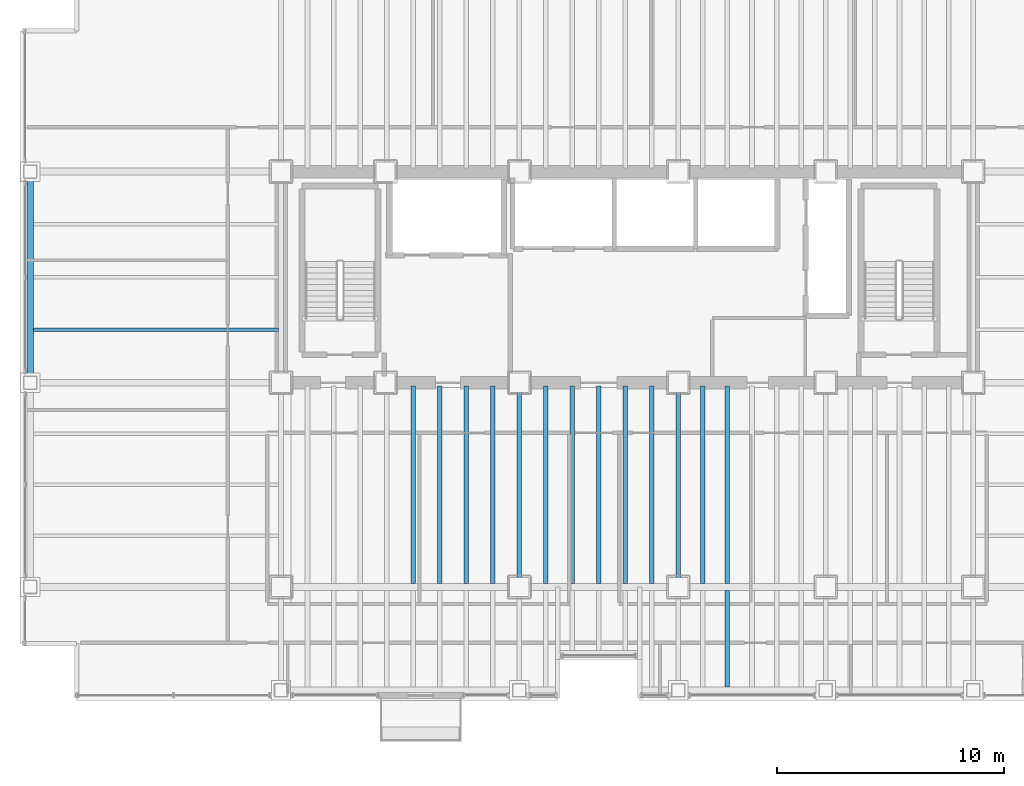
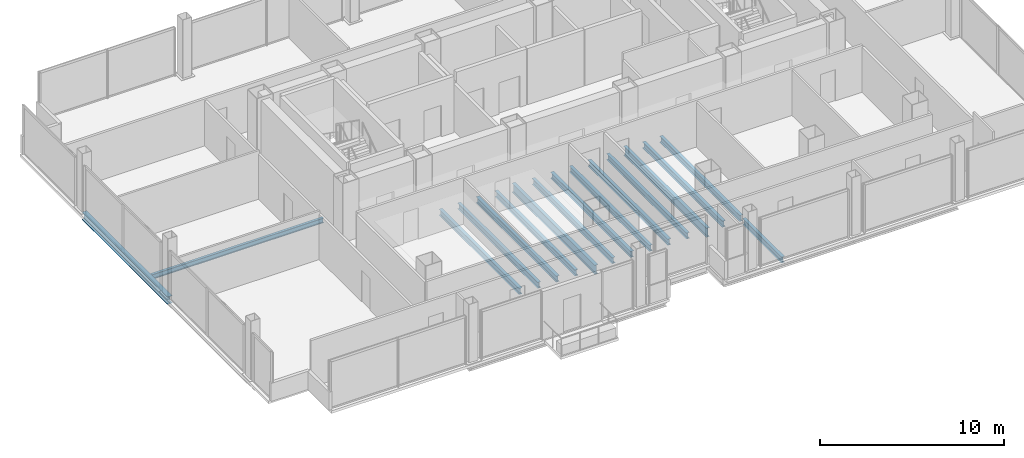
# One storey, part 5 of 21: 16 beams.
"""IFC4 building model written with IfcOpenShell, lengths in metres."""

from ifc_helpers import new_model, si_unit, direction, frame, origin, origin_2d, place, context, subcontext, project, spatial, i_section, extrude, material, material_profile, profile_set, type_object, element, save


model = new_model("IFC4")

# Units and contexts
model_context = context("Model", 3, precision=1e-05, world=origin(), true_north=direction((0.0, 1.0)))
body_context = subcontext(model_context, "Body", "Model", "MODEL_VIEW")
ifc_project = project(units=[si_unit("LENGTHUNIT", "METRE"), si_unit("AREAUNIT", "SQUARE_METRE"), si_unit("VOLUMEUNIT", "CUBIC_METRE"), si_unit("PLANEANGLEUNIT", "RADIAN"), si_unit("MASSUNIT", "GRAM", prefix="KILO")], contexts=[model_context])

# Site, building, storey
site_placement = place(None, origin())
site = spatial("IfcSite", under=ifc_project, at=site_placement, CompositionType="ELEMENT")
building_placement = place(site_placement, origin())
building = spatial("IfcBuilding", under=site, at=building_placement, Name="Noeulbin Bourse Tower", CompositionType="ELEMENT")
storey_placement = place(building_placement, frame((0.0, 0.0, 42.10009765625)))
storey = spatial("IfcBuildingStorey", under=building, at=storey_placement, Name="L10", CompositionType="ELEMENT", Elevation=42.10009765625)

# Beams
ifc_material = material(Name="Steel S355", Category="steel")
ifc_material_profile_1 = material_profile(ifc_material, i_section(OverallWidth=0.199951171875, OverallDepth=0.60009765625, WebThickness=0.010986328125, FlangeThickness=0.01708984375, FilletRadius=0.02197265625, at=origin_2d()), Name="H-600x200x11x17", Category="LoadBearing")
ifc_profile_set_1 = profile_set([ifc_material_profile_1], Name="Steel S355")
beam_type_1 = type_object("IfcBeamType", Name="BM-GRD-600", PredefinedType="USERDEFINED", material=ifc_profile_set_1)
for number, where, z_axis, x_axis, name in (
    (1, (24.0, 20.0, -0.47998046875), (0.0, 1.0, 0.0), (-1.0, 0.0, 0.0), "Tower Primary Girder NS L10-2.2"),
    (2, (31.0, 20.0, -0.47998046875), (0.0, 1.0, 0.0), (-1.0, 0.0, 0.0), "Tower Primary Girder NS L10-3.2"),
):
    element("IfcBeam", number, at=place(storey_placement, frame(where, z_axis=z_axis, x_axis=x_axis)), inside=storey, type_object=beam_type_1, Name=name, ObjectType="GIRDER", PredefinedType="USERDEFINED", context=body_context, shape_type="SweptSolid", body=[
        extrude(i_section(OverallWidth=0.199951171875, OverallDepth=0.60009765625, WebThickness=0.010986328125, FlangeThickness=0.01708984375, FilletRadius=0.02197265625, at=origin_2d()), origin(), (0.0, 0.0, 1.0), 9.0),
    ])
ifc_material_profile_2 = material_profile(ifc_material, i_section(OverallWidth=0.159912109375, OverallDepth=0.320068359375, WebThickness=0.006591796875, FlangeThickness=0.010009765625, FilletRadius=0.012939453125, at=origin_2d()), Name="H-320x160x6.5x10", Category="LoadBearing")
ifc_profile_set_2 = profile_set([ifc_material_profile_2], Name="Steel S355")
beam_type_2 = type_object("IfcBeamType", Name="BM-JST-320", PredefinedType="JOIST", material=ifc_profile_set_2)
beam_1_placement = place(storey_placement, frame((2.60009765625, 31.324951171875, -0.340087890625), z_axis=(1.0, 0.0, 0.0), x_axis=(0.0, 1.0, 0.0)))
element("IfcBeam", 3, at=beam_1_placement, inside=storey, type_object=beam_type_2, Name="Wing Composite Joist L10-W73", PredefinedType="JOIST", context=body_context, shape_type="SweptSolid", body=[
    extrude(i_section(OverallWidth=0.159912109375, OverallDepth=0.320068359375, WebThickness=0.006591796875, FlangeThickness=0.010009765625, FilletRadius=0.012939453125, at=origin_2d()), origin(), (0.0, 0.0, 1.0), 10.7998046875),
])
ifc_material_profile_3 = material_profile(ifc_material, i_section(OverallWidth=0.199951171875, OverallDepth=0.39990234375, WebThickness=0.008056640625, FlangeThickness=0.012939453125, FilletRadius=0.01611328125, at=origin_2d()), Name="H-400x200x8x13", Category="LoadBearing")
ifc_profile_set_3 = profile_set([ifc_material_profile_3], Name="Steel S355")
beam_type_3 = type_object("IfcBeamType", Name="BM-SEC-400", PredefinedType="BEAM", material=ifc_profile_set_3)
for number, where, z_axis, x_axis, name in (
    (4, (19.333251953125, 20.14990234375, -0.380126953125), (0.0, 1.0, 0.0), (-1.0, 0.0, 0.0), "Tower Composite Joist L10-14"),
    (5, (20.5, 20.14990234375, -0.380126953125), (0.0, 1.0, 0.0), (-1.0, 0.0, 0.0), "Tower Composite Joist L10-17"),
    (6, (21.666748046875, 20.14990234375, -0.380126953125), (0.0, 1.0, 0.0), (-1.0, 0.0, 0.0), "Tower Composite Joist L10-20"),
    (7, (22.833251953125, 20.14990234375, -0.380126953125), (0.0, 1.0, 0.0), (-1.0, 0.0, 0.0), "Tower Composite Joist L10-23"),
    (8, (25.166748046875, 20.14990234375, -0.380126953125), (0.0, 1.0, 0.0), (-1.0, 0.0, 0.0), "Tower Composite Joist L10-26"),
    (9, (26.333251953125, 20.14990234375, -0.380126953125), (0.0, 1.0, 0.0), (-1.0, 0.0, 0.0), "Tower Composite Joist L10-29"),
    (10, (27.5, 20.14990234375, -0.380126953125), (0.0, 1.0, 0.0), (-1.0, 0.0, 0.0), "Tower Composite Joist L10-32"),
    (11, (28.666748046875, 20.14990234375, -0.380126953125), (0.0, 1.0, 0.0), (-1.0, 0.0, 0.0), "Tower Composite Joist L10-35"),
    (12, (29.833251953125, 20.14990234375, -0.380126953125), (0.0, 1.0, 0.0), (-1.0, 0.0, 0.0), "Tower Composite Joist L10-38"),
    (13, (32.083251953125, 20.14990234375, -0.380126953125), (0.0, 1.0, 0.0), (-1.0, 0.0, 0.0), "Tower Composite Joist L10-41"),
):
    element("IfcBeam", number, at=place(storey_placement, frame(where, z_axis=z_axis, x_axis=x_axis)), inside=storey, type_object=beam_type_3, Name=name, PredefinedType="BEAM", context=body_context, shape_type="SweptSolid", body=[
        extrude(i_section(OverallWidth=0.199951171875, OverallDepth=0.39990234375, WebThickness=0.008056640625, FlangeThickness=0.012939453125, FilletRadius=0.01611328125, at=origin_2d()), origin(), (0.0, 0.0, 1.0), 8.7001953125),
    ])
beam_2_placement = place(storey_placement, frame((33.166748046875, 15.60009765625, -0.380126953125), z_axis=(0.0, 1.0, 0.0), x_axis=(-1.0, 0.0, 0.0)))
element("IfcBeam", 14, at=beam_2_placement, inside=storey, type_object=beam_type_3, Name="Tower Composite Joist L10-43", PredefinedType="BEAM", context=body_context, shape_type="SweptSolid", body=[
    extrude(i_section(OverallWidth=0.199951171875, OverallDepth=0.39990234375, WebThickness=0.008056640625, FlangeThickness=0.012939453125, FilletRadius=0.01611328125, at=origin_2d()), origin(), (0.0, 0.0, 1.0), 4.25),
])
beam_3_placement = place(storey_placement, frame((33.166748046875, 20.14990234375, -0.380126953125), z_axis=(0.0, 1.0, 0.0), x_axis=(-1.0, 0.0, 0.0)))
element("IfcBeam", 15, at=beam_3_placement, inside=storey, type_object=beam_type_3, Name="Tower Composite Joist L10-44", PredefinedType="BEAM", context=body_context, shape_type="SweptSolid", body=[
    extrude(i_section(OverallWidth=0.199951171875, OverallDepth=0.39990234375, WebThickness=0.008056640625, FlangeThickness=0.012939453125, FilletRadius=0.01611328125, at=origin_2d()), origin(), (0.0, 0.0, 1.0), 8.7001953125),
])
ifc_material_profile_4 = material_profile(ifc_material, i_section(OverallWidth=0.300048828125, OverallDepth=0.488037109375, WebThickness=0.010986328125, FlangeThickness=0.01806640625, FilletRadius=0.02197265625, at=origin_2d()), Name="H-488x300x11x18", Category="LoadBearing")
ifc_profile_set_4 = profile_set([ifc_material_profile_4], Name="Steel S355")
beam_type_4 = type_object("IfcBeamType", Name="BM-SPN-488", PredefinedType="SPANDREL", material=ifc_profile_set_4)
beam_4_placement = place(storey_placement, frame((2.449951171875, 29.0, -0.424072265625), z_axis=(0.0, 1.0, 0.0), x_axis=(-1.0, 0.0, 0.0)))
element("IfcBeam", 16, at=beam_4_placement, inside=storey, type_object=beam_type_4, Name="West Spandrel L10-2", PredefinedType="SPANDREL", context=body_context, shape_type="SweptSolid", body=[
    extrude(i_section(OverallWidth=0.300048828125, OverallDepth=0.488037109375, WebThickness=0.010986328125, FlangeThickness=0.01806640625, FilletRadius=0.02197265625, at=origin_2d()), origin(), (0.0, 0.0, 1.0), 9.300048828125),
])

save(model, "model.ifc")
